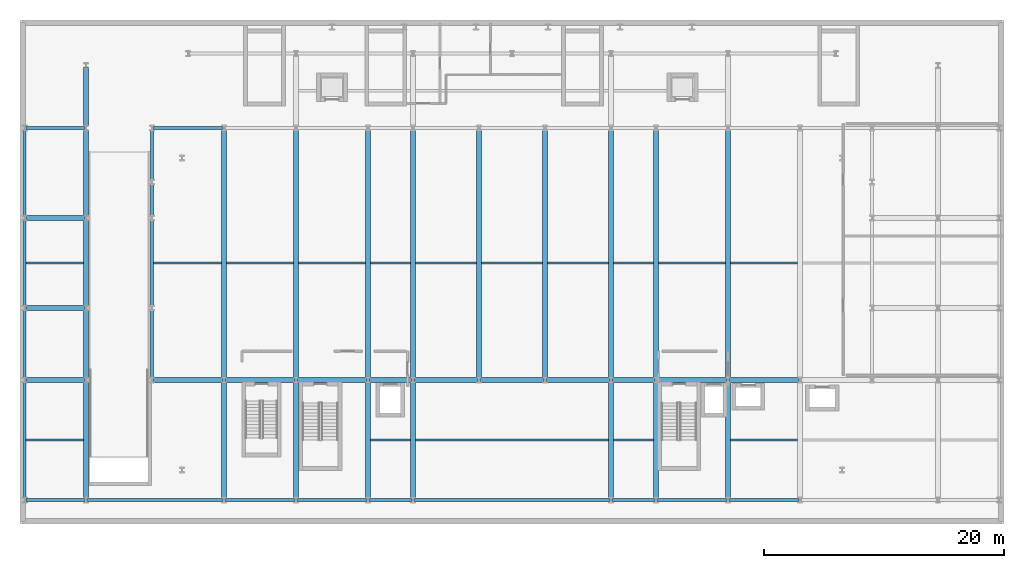
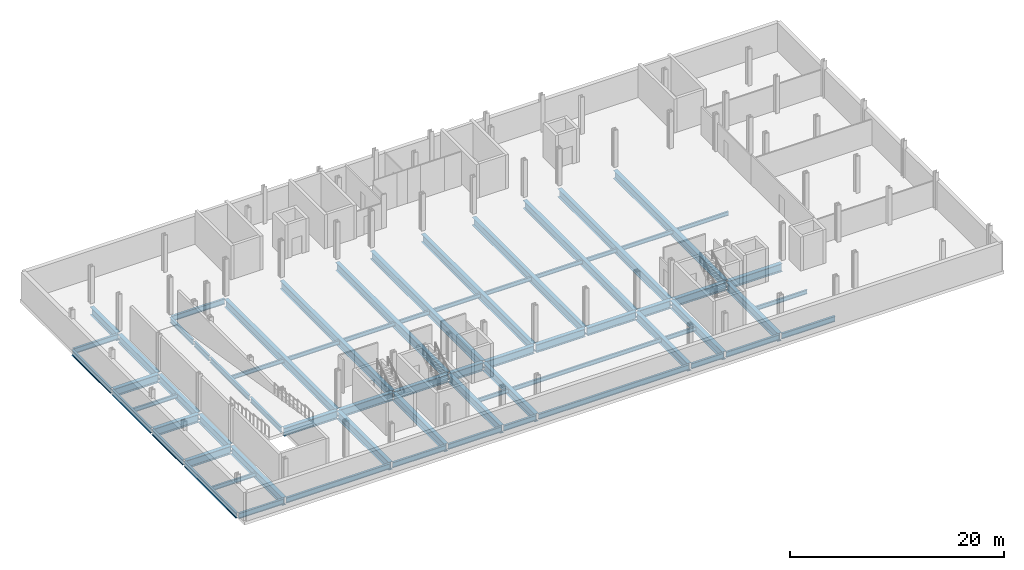
# One storey, part 3 of 12: 69 beams.
"""IFC4 building model written with IfcOpenShell, lengths in metres."""

from ifc_helpers import new_model, si_unit, direction, frame, origin, origin_2d, place, context, subcontext, project, spatial, i_section, extrude, material, material_profile, profile_set, type_object, element, save


model = new_model("IFC4")

# Units and contexts
model_context = context("Model", 3, precision=1e-05, world=origin(), true_north=direction((0.0, 1.0)))
body_context = subcontext(model_context, "Body", "Model", "MODEL_VIEW")
ifc_project = project(units=[si_unit("LENGTHUNIT", "METRE"), si_unit("AREAUNIT", "SQUARE_METRE"), si_unit("VOLUMEUNIT", "CUBIC_METRE"), si_unit("PLANEANGLEUNIT", "RADIAN"), si_unit("MASSUNIT", "GRAM", prefix="KILO")], contexts=[model_context])

# Site, building, storey
site_placement = place(None, origin())
site = spatial("IfcSite", under=ifc_project, at=site_placement, CompositionType="ELEMENT")
building_placement = place(site_placement, origin())
building = spatial("IfcBuilding", under=site, at=building_placement, Name="Brevholm Reach", CompositionType="ELEMENT")
storey_placement = place(building_placement, frame((0.0, 0.0, -4.199951171875)))
storey = spatial("IfcBuildingStorey", under=building, at=storey_placement, Name="B01", CompositionType="ELEMENT", Elevation=-4.199951171875)

# Beams
ifc_material_1 = material(Name="Structural Steel S355J2", Category="steel")
ifc_material_profile_1 = material_profile(ifc_material_1, i_section(OverallWidth=0.19140625, OverallDepth=0.4599609375, WebThickness=0.010009765625, FlangeThickness=0.01611328125, FilletRadius=0.01025390625, at=origin_2d()), Name="UKB 457x191x82")
ifc_profile_set_1 = profile_set([ifc_material_profile_1], Name="Structural Steel S355J2")
beam_type_1 = type_object("IfcBeamType", Name="BM-B460", PredefinedType="BEAM", material=ifc_profile_set_1)
beam_1_placement = place(storey_placement, frame((-10.485595703125, 5.0, -0.590087890625), z_axis=(1.0, 0.0, 0.0), x_axis=(0.0, 1.0, 0.0)))
element("IfcBeam", 1, at=beam_1_placement, inside=storey, type_object=beam_type_1, Name="B01 Composite Secondary Floor Beam", PredefinedType="BEAM", context=body_context, shape_type="SweptSolid", body=[
    extrude(i_section(OverallWidth=0.19140625, OverallDepth=0.4599609375, WebThickness=0.010009765625, FlangeThickness=0.01611328125, FilletRadius=0.01025390625, at=origin_2d()), origin(), (0.0, 0.0, 1.0), 4.775390625),
])
beam_2_placement = place(storey_placement, frame((18.210205078125, 5.0, -0.590087890625), z_axis=(1.0, 0.0, 0.0), x_axis=(0.0, 1.0, 0.0)))
element("IfcBeam", 2, at=beam_2_placement, inside=storey, type_object=beam_type_1, Name="B01 Composite Secondary Floor Beam", PredefinedType="BEAM", context=body_context, shape_type="SweptSolid", body=[
    extrude(i_section(OverallWidth=0.19140625, OverallDepth=0.4599609375, WebThickness=0.010009765625, FlangeThickness=0.01611328125, FilletRadius=0.01025390625, at=origin_2d()), origin(), (0.0, 0.0, 1.0), 3.32958984375),
])
beam_3_placement = place(storey_placement, frame((21.960205078125, 5.0, -0.590087890625), z_axis=(1.0, 0.0, 0.0), x_axis=(0.0, 1.0, 0.0)))
element("IfcBeam", 3, at=beam_3_placement, inside=storey, type_object=beam_type_1, Name="B01 Composite Secondary Floor Beam", PredefinedType="BEAM", context=body_context, shape_type="SweptSolid", body=[
    extrude(i_section(OverallWidth=0.19140625, OverallDepth=0.4599609375, WebThickness=0.010009765625, FlangeThickness=0.01611328125, FilletRadius=0.01025390625, at=origin_2d()), origin(), (0.0, 0.0, 1.0), 16.07958984375),
])
beam_4_placement = place(storey_placement, frame((38.460205078125, 5.0, -0.590087890625), z_axis=(1.0, 0.0, 0.0), x_axis=(0.0, 1.0, 0.0)))
element("IfcBeam", 4, at=beam_4_placement, inside=storey, type_object=beam_type_1, Name="B01 Composite Secondary Floor Beam", PredefinedType="BEAM", context=body_context, shape_type="SweptSolid", body=[
    extrude(i_section(OverallWidth=0.19140625, OverallDepth=0.4599609375, WebThickness=0.010009765625, FlangeThickness=0.01611328125, FilletRadius=0.01025390625, at=origin_2d()), origin(), (0.0, 0.0, 1.0), 3.32958984375),
])
beam_5_placement = place(storey_placement, frame((48.210205078125, 5.0, -0.590087890625), z_axis=(1.0, 0.0, 0.0), x_axis=(0.0, 1.0, 0.0)))
element("IfcBeam", 5, at=beam_5_placement, inside=storey, type_object=beam_type_1, Name="B01 Composite Secondary Floor Beam", PredefinedType="BEAM", context=body_context, shape_type="SweptSolid", body=[
    extrude(i_section(OverallWidth=0.19140625, OverallDepth=0.4599609375, WebThickness=0.010009765625, FlangeThickness=0.01611328125, FilletRadius=0.01025390625, at=origin_2d()), origin(), (0.0, 0.0, 1.0), 5.57958984375),
])
beam_6_placement = place(storey_placement, frame((-10.485595703125, 19.75, -0.590087890625), z_axis=(1.0, 0.0, 0.0), x_axis=(0.0, 1.0, 0.0)))
element("IfcBeam", 6, at=beam_6_placement, inside=storey, type_object=beam_type_1, Name="B01 Composite Secondary Floor Beam", PredefinedType="BEAM", context=body_context, shape_type="SweptSolid", body=[
    extrude(i_section(OverallWidth=0.19140625, OverallDepth=0.4599609375, WebThickness=0.010009765625, FlangeThickness=0.01611328125, FilletRadius=0.01025390625, at=origin_2d()), origin(), (0.0, 0.0, 1.0), 4.775390625),
])
beam_7_placement = place(storey_placement, frame((0.114501953125, 19.75, -0.590087890625), z_axis=(1.0, 0.0, 0.0), x_axis=(0.0, 1.0, 0.0)))
element("IfcBeam", 7, at=beam_7_placement, inside=storey, type_object=beam_type_1, Name="B01 Composite Secondary Floor Beam", PredefinedType="BEAM", context=body_context, shape_type="SweptSolid", body=[
    extrude(i_section(OverallWidth=0.19140625, OverallDepth=0.4599609375, WebThickness=0.010009765625, FlangeThickness=0.01611328125, FilletRadius=0.01025390625, at=origin_2d()), origin(), (0.0, 0.0, 1.0), 5.67529296875),
])
for number, where, z_axis, x_axis, name in (
    (8, (6.210205078125, 19.75, -0.590087890625), (1.0, 0.0, 0.0), (0.0, 1.0, 0.0), "B01 Composite Secondary Floor Beam"),
    (9, (12.210205078125, 19.75, -0.590087890625), (1.0, 0.0, 0.0), (0.0, 1.0, 0.0), "B01 Composite Secondary Floor Beam"),
):
    element("IfcBeam", number, at=place(storey_placement, frame(where, z_axis=z_axis, x_axis=x_axis)), inside=storey, type_object=beam_type_1, Name=name, PredefinedType="BEAM", context=body_context, shape_type="SweptSolid", body=[
        extrude(i_section(OverallWidth=0.19140625, OverallDepth=0.4599609375, WebThickness=0.010009765625, FlangeThickness=0.01611328125, FilletRadius=0.01025390625, at=origin_2d()), origin(), (0.0, 0.0, 1.0), 5.57958984375),
    ])
beam_8_placement = place(storey_placement, frame((18.210205078125, 19.75, -0.590087890625), z_axis=(1.0, 0.0, 0.0), x_axis=(0.0, 1.0, 0.0)))
element("IfcBeam", 10, at=beam_8_placement, inside=storey, type_object=beam_type_1, Name="B01 Composite Secondary Floor Beam", PredefinedType="BEAM", context=body_context, shape_type="SweptSolid", body=[
    extrude(i_section(OverallWidth=0.19140625, OverallDepth=0.4599609375, WebThickness=0.010009765625, FlangeThickness=0.01611328125, FilletRadius=0.01025390625, at=origin_2d()), origin(), (0.0, 0.0, 1.0), 3.32958984375),
])
for number, where, z_axis, x_axis, name in (
    (11, (21.960205078125, 19.75, -0.590087890625), (1.0, 0.0, 0.0), (0.0, 1.0, 0.0), "B01 Composite Secondary Floor Beam"),
    (12, (27.460205078125, 19.75, -0.590087890625), (1.0, 0.0, 0.0), (0.0, 1.0, 0.0), "B01 Composite Secondary Floor Beam"),
    (13, (32.960205078125, 19.75, -0.590087890625), (1.0, 0.0, 0.0), (0.0, 1.0, 0.0), "B01 Composite Secondary Floor Beam"),
):
    element("IfcBeam", number, at=place(storey_placement, frame(where, z_axis=z_axis, x_axis=x_axis)), inside=storey, type_object=beam_type_1, Name=name, PredefinedType="BEAM", context=body_context, shape_type="SweptSolid", body=[
        extrude(i_section(OverallWidth=0.19140625, OverallDepth=0.4599609375, WebThickness=0.010009765625, FlangeThickness=0.01611328125, FilletRadius=0.01025390625, at=origin_2d()), origin(), (0.0, 0.0, 1.0), 5.07958984375),
    ])
beam_9_placement = place(storey_placement, frame((38.460205078125, 19.75, -0.590087890625), z_axis=(1.0, 0.0, 0.0), x_axis=(0.0, 1.0, 0.0)))
element("IfcBeam", 14, at=beam_9_placement, inside=storey, type_object=beam_type_1, Name="B01 Composite Secondary Floor Beam", PredefinedType="BEAM", context=body_context, shape_type="SweptSolid", body=[
    extrude(i_section(OverallWidth=0.19140625, OverallDepth=0.4599609375, WebThickness=0.010009765625, FlangeThickness=0.01611328125, FilletRadius=0.01025390625, at=origin_2d()), origin(), (0.0, 0.0, 1.0), 3.32958984375),
])
for number, where, z_axis, x_axis, name in (
    (15, (42.210205078125, 19.75, -0.590087890625), (1.0, 0.0, 0.0), (0.0, 1.0, 0.0), "B01 Composite Secondary Floor Beam"),
    (16, (48.210205078125, 19.75, -0.590087890625), (1.0, 0.0, 0.0), (0.0, 1.0, 0.0), "B01 Composite Secondary Floor Beam"),
):
    element("IfcBeam", number, at=place(storey_placement, frame(where, z_axis=z_axis, x_axis=x_axis)), inside=storey, type_object=beam_type_1, Name=name, PredefinedType="BEAM", context=body_context, shape_type="SweptSolid", body=[
        extrude(i_section(OverallWidth=0.19140625, OverallDepth=0.4599609375, WebThickness=0.010009765625, FlangeThickness=0.01611328125, FilletRadius=0.01025390625, at=origin_2d()), origin(), (0.0, 0.0, 1.0), 5.57958984375),
    ])
ifc_material_2 = material(Name="Structural Steel S355J2", Category="steel")
ifc_material_profile_2 = material_profile(ifc_material_2, i_section(OverallWidth=0.22900390625, OverallDepth=0.6123046875, WebThickness=0.011962890625, FlangeThickness=0.01953125, FilletRadius=0.0126953125, at=origin_2d()), Name="UKB 610x229x125")
ifc_profile_set_2 = profile_set([ifc_material_profile_2], Name="Structural Steel S355J2")
beam_type_2 = type_object("IfcBeamType", Name="BM-SP610", PredefinedType="SPANDREL", material=ifc_profile_set_2)
beam_10_placement = place(storey_placement, frame((-10.47998046875, 0.0, -0.666259765625), z_axis=(1.0, 0.0, 0.0), x_axis=(0.0, 1.0, 0.0)))
element("IfcBeam", 17, at=beam_10_placement, inside=storey, type_object=beam_type_2, Name="B01 SP-01 Framing Beam", PredefinedType="SPANDREL", context=body_context, shape_type="SweptSolid", body=[
    extrude(i_section(OverallWidth=0.22900390625, OverallDepth=0.6123046875, WebThickness=0.011962890625, FlangeThickness=0.01953125, FilletRadius=0.0126953125, at=origin_2d()), origin(), (0.0, 0.0, 1.0), 4.85986328125),
])
beam_11_placement = place(storey_placement, frame((-5.3798828125, 0.0, -0.666259765625), z_axis=(1.0, 0.0, 0.0), x_axis=(0.0, 1.0, 0.0)))
element("IfcBeam", 18, at=beam_11_placement, inside=storey, type_object=beam_type_2, Name="B01 SP-01 Framing Beam", PredefinedType="SPANDREL", context=body_context, shape_type="SweptSolid", body=[
    extrude(i_section(OverallWidth=0.22900390625, OverallDepth=0.6123046875, WebThickness=0.011962890625, FlangeThickness=0.01953125, FilletRadius=0.0126953125, at=origin_2d()), origin(), (0.0, 0.0, 1.0), 11.259765625),
])
for number, where, z_axis, x_axis, name in (
    (19, (6.1201171875, 0.0, -0.666259765625), (1.0, 0.0, 0.0), (0.0, 1.0, 0.0), "B01 SP-01 Framing Beam"),
    (20, (12.1201171875, 0.0, -0.666259765625), (1.0, 0.0, 0.0), (0.0, 1.0, 0.0), "B01 SP-01 Framing Beam"),
):
    element("IfcBeam", number, at=place(storey_placement, frame(where, z_axis=z_axis, x_axis=x_axis)), inside=storey, type_object=beam_type_2, Name=name, PredefinedType="SPANDREL", context=body_context, shape_type="SweptSolid", body=[
        extrude(i_section(OverallWidth=0.22900390625, OverallDepth=0.6123046875, WebThickness=0.011962890625, FlangeThickness=0.01953125, FilletRadius=0.0126953125, at=origin_2d()), origin(), (0.0, 0.0, 1.0), 5.759765625),
    ])
beam_12_placement = place(storey_placement, frame((18.1201171875, 0.0, -0.666259765625), z_axis=(1.0, 0.0, 0.0), x_axis=(0.0, 1.0, 0.0)))
element("IfcBeam", 21, at=beam_12_placement, inside=storey, type_object=beam_type_2, Name="B01 SP-01 Framing Beam", PredefinedType="SPANDREL", context=body_context, shape_type="SweptSolid", body=[
    extrude(i_section(OverallWidth=0.22900390625, OverallDepth=0.6123046875, WebThickness=0.011962890625, FlangeThickness=0.01953125, FilletRadius=0.0126953125, at=origin_2d()), origin(), (0.0, 0.0, 1.0), 3.509765625),
])
beam_13_placement = place(storey_placement, frame((21.8701171875, 0.0, -0.666259765625), z_axis=(1.0, 0.0, 0.0), x_axis=(0.0, 1.0, 0.0)))
element("IfcBeam", 22, at=beam_13_placement, inside=storey, type_object=beam_type_2, Name="B01 SP-01 Framing Beam", PredefinedType="SPANDREL", context=body_context, shape_type="SweptSolid", body=[
    extrude(i_section(OverallWidth=0.22900390625, OverallDepth=0.6123046875, WebThickness=0.011962890625, FlangeThickness=0.01953125, FilletRadius=0.0126953125, at=origin_2d()), origin(), (0.0, 0.0, 1.0), 16.259765625),
])
beam_14_placement = place(storey_placement, frame((38.3701171875, 0.0, -0.666259765625), z_axis=(1.0, 0.0, 0.0), x_axis=(0.0, 1.0, 0.0)))
element("IfcBeam", 23, at=beam_14_placement, inside=storey, type_object=beam_type_2, Name="B01 SP-01 Framing Beam", PredefinedType="SPANDREL", context=body_context, shape_type="SweptSolid", body=[
    extrude(i_section(OverallWidth=0.22900390625, OverallDepth=0.6123046875, WebThickness=0.011962890625, FlangeThickness=0.01953125, FilletRadius=0.0126953125, at=origin_2d()), origin(), (0.0, 0.0, 1.0), 3.509765625),
])
for number, where, z_axis, x_axis, name in (
    (24, (42.1201171875, 0.0, -0.666259765625), (1.0, 0.0, 0.0), (0.0, 1.0, 0.0), "B01 SP-01 Framing Beam"),
    (25, (48.1201171875, 0.0, -0.666259765625), (1.0, 0.0, 0.0), (0.0, 1.0, 0.0), "B01 SP-01 Framing Beam"),
):
    element("IfcBeam", number, at=place(storey_placement, frame(where, z_axis=z_axis, x_axis=x_axis)), inside=storey, type_object=beam_type_2, Name=name, PredefinedType="SPANDREL", context=body_context, shape_type="SweptSolid", body=[
        extrude(i_section(OverallWidth=0.22900390625, OverallDepth=0.6123046875, WebThickness=0.011962890625, FlangeThickness=0.01953125, FilletRadius=0.0126953125, at=origin_2d()), origin(), (0.0, 0.0, 1.0), 5.759765625),
    ])
beam_15_placement = place(storey_placement, frame((-10.47998046875, 31.0, -0.666259765625), z_axis=(1.0, 0.0, 0.0), x_axis=(0.0, 1.0, 0.0)))
element("IfcBeam", 26, at=beam_15_placement, inside=storey, type_object=beam_type_2, Name="B01 SP-01 Framing Beam", PredefinedType="SPANDREL", context=body_context, shape_type="SweptSolid", body=[
    extrude(i_section(OverallWidth=0.22900390625, OverallDepth=0.6123046875, WebThickness=0.011962890625, FlangeThickness=0.01953125, FilletRadius=0.0126953125, at=origin_2d()), origin(), (0.0, 0.0, 1.0), 4.85986328125),
])
beam_16_placement = place(storey_placement, frame((0.1201171875, 31.0, -0.666259765625), z_axis=(1.0, 0.0, 0.0), x_axis=(0.0, 1.0, 0.0)))
element("IfcBeam", 27, at=beam_16_placement, inside=storey, type_object=beam_type_2, Name="B01 SP-01 Framing Beam", PredefinedType="SPANDREL", context=body_context, shape_type="SweptSolid", body=[
    extrude(i_section(OverallWidth=0.22900390625, OverallDepth=0.6123046875, WebThickness=0.011962890625, FlangeThickness=0.01953125, FilletRadius=0.0126953125, at=origin_2d()), origin(), (0.0, 0.0, 1.0), 5.759765625),
])
beam_17_placement = place(storey_placement, frame((-10.60009765625, 0.1201171875, -0.666259765625), z_axis=(0.0, 1.0, 0.0), x_axis=(-1.0, 0.0, 0.0)))
element("IfcBeam", 28, at=beam_17_placement, inside=storey, type_object=beam_type_2, Name="B01 SP-01 Framing Beam", PredefinedType="SPANDREL", context=body_context, shape_type="SweptSolid", body=[
    extrude(i_section(OverallWidth=0.22900390625, OverallDepth=0.6123046875, WebThickness=0.011962890625, FlangeThickness=0.01953125, FilletRadius=0.0126953125, at=origin_2d()), origin(), (0.0, 0.0, 1.0), 9.759765625),
])
beam_18_placement = place(storey_placement, frame((-10.60009765625, 10.1201171875, -0.666259765625), z_axis=(0.0, 1.0, 0.0), x_axis=(-1.0, 0.0, 0.0)))
element("IfcBeam", 29, at=beam_18_placement, inside=storey, type_object=beam_type_2, Name="B01 SP-01 Framing Beam", PredefinedType="SPANDREL", context=body_context, shape_type="SweptSolid", body=[
    extrude(i_section(OverallWidth=0.22900390625, OverallDepth=0.6123046875, WebThickness=0.011962890625, FlangeThickness=0.01953125, FilletRadius=0.0126953125, at=origin_2d()), origin(), (0.0, 0.0, 1.0), 5.759765625),
])
for number, where, z_axis, x_axis, name in (
    (30, (-10.60009765625, 16.1201171875, -0.666259765625), (0.0, 1.0, 0.0), (-1.0, 0.0, 0.0), "B01 SP-01 Framing Beam"),
    (31, (-10.60009765625, 23.6201171875, -0.666259765625), (0.0, 1.0, 0.0), (-1.0, 0.0, 0.0), "B01 SP-01 Framing Beam"),
):
    element("IfcBeam", number, at=place(storey_placement, frame(where, z_axis=z_axis, x_axis=x_axis)), inside=storey, type_object=beam_type_2, Name=name, PredefinedType="SPANDREL", context=body_context, shape_type="SweptSolid", body=[
        extrude(i_section(OverallWidth=0.22900390625, OverallDepth=0.6123046875, WebThickness=0.011962890625, FlangeThickness=0.01953125, FilletRadius=0.0126953125, at=origin_2d()), origin(), (0.0, 0.0, 1.0), 7.259765625),
    ])
beam_19_placement = place(storey_placement, frame((0.0, 10.1201171875, -0.666259765625), z_axis=(0.0, 1.0, 0.0), x_axis=(-1.0, 0.0, 0.0)))
element("IfcBeam", 32, at=beam_19_placement, inside=storey, type_object=beam_type_2, Name="B01 SP-01 Framing Beam", PredefinedType="SPANDREL", context=body_context, shape_type="SweptSolid", body=[
    extrude(i_section(OverallWidth=0.22900390625, OverallDepth=0.6123046875, WebThickness=0.011962890625, FlangeThickness=0.01953125, FilletRadius=0.0126953125, at=origin_2d()), origin(), (0.0, 0.0, 1.0), 5.759765625),
])
beam_20_placement = place(storey_placement, frame((0.0, 16.1201171875, -0.666259765625), z_axis=(0.0, 1.0, 0.0), x_axis=(-1.0, 0.0, 0.0)))
element("IfcBeam", 33, at=beam_20_placement, inside=storey, type_object=beam_type_2, Name="B01 SP-01 Framing Beam", PredefinedType="SPANDREL", context=body_context, shape_type="SweptSolid", body=[
    extrude(i_section(OverallWidth=0.22900390625, OverallDepth=0.6123046875, WebThickness=0.011962890625, FlangeThickness=0.01953125, FilletRadius=0.0126953125, at=origin_2d()), origin(), (0.0, 0.0, 1.0), 7.259765625),
])
beam_21_placement = place(storey_placement, frame((0.0, 23.6201171875, -0.666259765625), z_axis=(0.0, 1.0, 0.0), x_axis=(-1.0, 0.0, 0.0)))
element("IfcBeam", 34, at=beam_21_placement, inside=storey, type_object=beam_type_2, Name="B01 SP-01 Framing Beam", PredefinedType="SPANDREL", context=body_context, shape_type="SweptSolid", body=[
    extrude(i_section(OverallWidth=0.22900390625, OverallDepth=0.6123046875, WebThickness=0.011962890625, FlangeThickness=0.01953125, FilletRadius=0.0126953125, at=origin_2d()), origin(), (0.0, 0.0, 1.0), 2.759765625),
])
beam_22_placement = place(storey_placement, frame((0.0, 26.6201171875, -0.666259765625), z_axis=(0.0, 1.0, 0.0), x_axis=(-1.0, 0.0, 0.0)))
element("IfcBeam", 35, at=beam_22_placement, inside=storey, type_object=beam_type_2, Name="B01 SP-01 Framing Beam", PredefinedType="SPANDREL", context=body_context, shape_type="SweptSolid", body=[
    extrude(i_section(OverallWidth=0.22900390625, OverallDepth=0.6123046875, WebThickness=0.011962890625, FlangeThickness=0.01953125, FilletRadius=0.0126953125, at=origin_2d()), origin(), (0.0, 0.0, 1.0), 4.259765625),
])
ifc_material_3 = material(Name="Structural Steel S460ML", Category="steel")
ifc_material_profile_3 = material_profile(ifc_material_3, i_section(OverallWidth=0.42041015625, OverallDepth=0.9208984375, WebThickness=0.021484375, FlangeThickness=0.03662109375, FilletRadius=0.024169921875, at=origin_2d()), Name="UKB 914x419x388")
ifc_profile_set_3 = profile_set([ifc_material_profile_3], Name="Structural Steel S460ML")
beam_type_3 = type_object("IfcBeamType", Name="BM-UKB914", PredefinedType="USERDEFINED", material=ifc_profile_set_3)
beam_23_placement = place(storey_placement, frame((-10.47998046875, 10.0, -0.820556640625), z_axis=(1.0, 0.0, 0.0), x_axis=(0.0, 1.0, 0.0)))
element("IfcBeam", 36, at=beam_23_placement, inside=storey, type_object=beam_type_3, Name="B01 G-02 Framing Beam", ObjectType="GIRDER", PredefinedType="USERDEFINED", context=body_context, shape_type="SweptSolid", body=[
    extrude(i_section(OverallWidth=0.42041015625, OverallDepth=0.9208984375, WebThickness=0.021484375, FlangeThickness=0.03662109375, FilletRadius=0.024169921875, at=origin_2d()), origin(), (0.0, 0.0, 1.0), 4.85986328125),
])
for number, where, z_axis, x_axis, name in (
    (37, (0.1201171875, 10.0, -0.820556640625), (1.0, 0.0, 0.0), (0.0, 1.0, 0.0), "B01 G-02 Framing Beam"),
    (38, (6.1201171875, 10.0, -0.820556640625), (1.0, 0.0, 0.0), (0.0, 1.0, 0.0), "B01 G-02 Framing Beam"),
    (39, (12.1201171875, 10.0, -0.820556640625), (1.0, 0.0, 0.0), (0.0, 1.0, 0.0), "B01 G-02 Framing Beam"),
):
    element("IfcBeam", number, at=place(storey_placement, frame(where, z_axis=z_axis, x_axis=x_axis)), inside=storey, type_object=beam_type_3, Name=name, ObjectType="GIRDER", PredefinedType="USERDEFINED", context=body_context, shape_type="SweptSolid", body=[
        extrude(i_section(OverallWidth=0.42041015625, OverallDepth=0.9208984375, WebThickness=0.021484375, FlangeThickness=0.03662109375, FilletRadius=0.024169921875, at=origin_2d()), origin(), (0.0, 0.0, 1.0), 5.759765625),
    ])
beam_24_placement = place(storey_placement, frame((18.1201171875, 10.0, -0.820556640625), z_axis=(1.0, 0.0, 0.0), x_axis=(0.0, 1.0, 0.0)))
element("IfcBeam", 40, at=beam_24_placement, inside=storey, type_object=beam_type_3, Name="B01 G-02 Framing Beam", ObjectType="GIRDER", PredefinedType="USERDEFINED", context=body_context, shape_type="SweptSolid", body=[
    extrude(i_section(OverallWidth=0.42041015625, OverallDepth=0.9208984375, WebThickness=0.021484375, FlangeThickness=0.03662109375, FilletRadius=0.024169921875, at=origin_2d()), origin(), (0.0, 0.0, 1.0), 3.509765625),
])
for number, where, z_axis, x_axis, name in (
    (41, (21.8701171875, 10.0, -0.820556640625), (1.0, 0.0, 0.0), (0.0, 1.0, 0.0), "B01 G-02 Framing Beam"),
    (42, (27.3701171875, 10.0, -0.820556640625), (1.0, 0.0, 0.0), (0.0, 1.0, 0.0), "B01 G-02 Framing Beam"),
    (43, (32.8701171875, 10.0, -0.820556640625), (1.0, 0.0, 0.0), (0.0, 1.0, 0.0), "B01 G-02 Framing Beam"),
):
    element("IfcBeam", number, at=place(storey_placement, frame(where, z_axis=z_axis, x_axis=x_axis)), inside=storey, type_object=beam_type_3, Name=name, ObjectType="GIRDER", PredefinedType="USERDEFINED", context=body_context, shape_type="SweptSolid", body=[
        extrude(i_section(OverallWidth=0.42041015625, OverallDepth=0.9208984375, WebThickness=0.021484375, FlangeThickness=0.03662109375, FilletRadius=0.024169921875, at=origin_2d()), origin(), (0.0, 0.0, 1.0), 5.259765625),
    ])
beam_25_placement = place(storey_placement, frame((38.3701171875, 10.0, -0.820556640625), z_axis=(1.0, 0.0, 0.0), x_axis=(0.0, 1.0, 0.0)))
element("IfcBeam", 44, at=beam_25_placement, inside=storey, type_object=beam_type_3, Name="B01 G-02 Framing Beam", ObjectType="GIRDER", PredefinedType="USERDEFINED", context=body_context, shape_type="SweptSolid", body=[
    extrude(i_section(OverallWidth=0.42041015625, OverallDepth=0.9208984375, WebThickness=0.021484375, FlangeThickness=0.03662109375, FilletRadius=0.024169921875, at=origin_2d()), origin(), (0.0, 0.0, 1.0), 3.509765625),
])
for number, where, z_axis, x_axis, name in (
    (45, (42.1201171875, 10.0, -0.820556640625), (1.0, 0.0, 0.0), (0.0, 1.0, 0.0), "B01 G-02 Framing Beam"),
    (46, (48.1201171875, 10.0, -0.820556640625), (1.0, 0.0, 0.0), (0.0, 1.0, 0.0), "B01 G-02 Framing Beam"),
):
    element("IfcBeam", number, at=place(storey_placement, frame(where, z_axis=z_axis, x_axis=x_axis)), inside=storey, type_object=beam_type_3, Name=name, ObjectType="GIRDER", PredefinedType="USERDEFINED", context=body_context, shape_type="SweptSolid", body=[
        extrude(i_section(OverallWidth=0.42041015625, OverallDepth=0.9208984375, WebThickness=0.021484375, FlangeThickness=0.03662109375, FilletRadius=0.024169921875, at=origin_2d()), origin(), (0.0, 0.0, 1.0), 5.759765625),
    ])
for number, where, z_axis, x_axis, name in (
    (47, (-10.47998046875, 16.0, -0.820556640625), (1.0, 0.0, 0.0), (0.0, 1.0, 0.0), "B01 G-02 Framing Beam"),
    (48, (-10.47998046875, 23.5, -0.820556640625), (1.0, 0.0, 0.0), (0.0, 1.0, 0.0), "B01 G-02 Framing Beam"),
):
    element("IfcBeam", number, at=place(storey_placement, frame(where, z_axis=z_axis, x_axis=x_axis)), inside=storey, type_object=beam_type_3, Name=name, ObjectType="GIRDER", PredefinedType="USERDEFINED", context=body_context, shape_type="SweptSolid", body=[
        extrude(i_section(OverallWidth=0.42041015625, OverallDepth=0.9208984375, WebThickness=0.021484375, FlangeThickness=0.03662109375, FilletRadius=0.024169921875, at=origin_2d()), origin(), (0.0, 0.0, 1.0), 4.85986328125),
    ])
beam_26_placement = place(storey_placement, frame((-5.5, 0.1201171875, -0.820556640625), z_axis=(0.0, 1.0, 0.0), x_axis=(-1.0, 0.0, 0.0)))
element("IfcBeam", 49, at=beam_26_placement, inside=storey, type_object=beam_type_3, Name="B01 G-02 Framing Beam", ObjectType="GIRDER", PredefinedType="USERDEFINED", context=body_context, shape_type="SweptSolid", body=[
    extrude(i_section(OverallWidth=0.42041015625, OverallDepth=0.9208984375, WebThickness=0.021484375, FlangeThickness=0.03662109375, FilletRadius=0.024169921875, at=origin_2d()), origin(), (0.0, 0.0, 1.0), 9.759765625),
])
beam_27_placement = place(storey_placement, frame((-5.5, 10.1201171875, -0.820556640625), z_axis=(0.0, 1.0, 0.0), x_axis=(-1.0, 0.0, 0.0)))
element("IfcBeam", 50, at=beam_27_placement, inside=storey, type_object=beam_type_3, Name="B01 G-02 Framing Beam", ObjectType="GIRDER", PredefinedType="USERDEFINED", context=body_context, shape_type="SweptSolid", body=[
    extrude(i_section(OverallWidth=0.42041015625, OverallDepth=0.9208984375, WebThickness=0.021484375, FlangeThickness=0.03662109375, FilletRadius=0.024169921875, at=origin_2d()), origin(), (0.0, 0.0, 1.0), 5.759765625),
])
for number, where, z_axis, x_axis, name in (
    (51, (-5.5, 16.1201171875, -0.820556640625), (0.0, 1.0, 0.0), (-1.0, 0.0, 0.0), "B01 G-02 Framing Beam"),
    (52, (-5.5, 23.6201171875, -0.820556640625), (0.0, 1.0, 0.0), (-1.0, 0.0, 0.0), "B01 G-02 Framing Beam"),
):
    element("IfcBeam", number, at=place(storey_placement, frame(where, z_axis=z_axis, x_axis=x_axis)), inside=storey, type_object=beam_type_3, Name=name, ObjectType="GIRDER", PredefinedType="USERDEFINED", context=body_context, shape_type="SweptSolid", body=[
        extrude(i_section(OverallWidth=0.42041015625, OverallDepth=0.9208984375, WebThickness=0.021484375, FlangeThickness=0.03662109375, FilletRadius=0.024169921875, at=origin_2d()), origin(), (0.0, 0.0, 1.0), 7.259765625),
    ])
beam_28_placement = place(storey_placement, frame((-5.5, 31.1201171875, -0.820556640625), z_axis=(0.0, 1.0, 0.0), x_axis=(-1.0, 0.0, 0.0)))
element("IfcBeam", 53, at=beam_28_placement, inside=storey, type_object=beam_type_3, Name="B01 G-02 Framing Beam", ObjectType="GIRDER", PredefinedType="USERDEFINED", context=body_context, shape_type="SweptSolid", body=[
    extrude(i_section(OverallWidth=0.42041015625, OverallDepth=0.9208984375, WebThickness=0.021484375, FlangeThickness=0.03662109375, FilletRadius=0.024169921875, at=origin_2d()), origin(), (0.0, 0.0, 1.0), 4.9599609375),
])
beam_29_placement = place(storey_placement, frame((6.0, 0.1201171875, -0.820556640625), z_axis=(0.0, 1.0, 0.0), x_axis=(-1.0, 0.0, 0.0)))
element("IfcBeam", 54, at=beam_29_placement, inside=storey, type_object=beam_type_3, Name="B01 G-02 Framing Beam", ObjectType="GIRDER", PredefinedType="USERDEFINED", context=body_context, shape_type="SweptSolid", body=[
    extrude(i_section(OverallWidth=0.42041015625, OverallDepth=0.9208984375, WebThickness=0.021484375, FlangeThickness=0.03662109375, FilletRadius=0.024169921875, at=origin_2d()), origin(), (0.0, 0.0, 1.0), 9.759765625),
])
beam_30_placement = place(storey_placement, frame((6.0, 10.1201171875, -0.820556640625), z_axis=(0.0, 1.0, 0.0), x_axis=(-1.0, 0.0, 0.0)))
element("IfcBeam", 55, at=beam_30_placement, inside=storey, type_object=beam_type_3, Name="B01 G-02 Framing Beam", ObjectType="GIRDER", PredefinedType="USERDEFINED", context=body_context, shape_type="SweptSolid", body=[
    extrude(i_section(OverallWidth=0.42041015625, OverallDepth=0.9208984375, WebThickness=0.021484375, FlangeThickness=0.03662109375, FilletRadius=0.024169921875, at=origin_2d()), origin(), (0.0, 0.0, 1.0), 20.759765625),
])
beam_31_placement = place(storey_placement, frame((12.0, 0.1201171875, -0.820556640625), z_axis=(0.0, 1.0, 0.0), x_axis=(-1.0, 0.0, 0.0)))
element("IfcBeam", 56, at=beam_31_placement, inside=storey, type_object=beam_type_3, Name="B01 G-02 Framing Beam", ObjectType="GIRDER", PredefinedType="USERDEFINED", context=body_context, shape_type="SweptSolid", body=[
    extrude(i_section(OverallWidth=0.42041015625, OverallDepth=0.9208984375, WebThickness=0.021484375, FlangeThickness=0.03662109375, FilletRadius=0.024169921875, at=origin_2d()), origin(), (0.0, 0.0, 1.0), 9.759765625),
])
beam_32_placement = place(storey_placement, frame((12.0, 10.1201171875, -0.820556640625), z_axis=(0.0, 1.0, 0.0), x_axis=(-1.0, 0.0, 0.0)))
element("IfcBeam", 57, at=beam_32_placement, inside=storey, type_object=beam_type_3, Name="B01 G-02 Framing Beam", ObjectType="GIRDER", PredefinedType="USERDEFINED", context=body_context, shape_type="SweptSolid", body=[
    extrude(i_section(OverallWidth=0.42041015625, OverallDepth=0.9208984375, WebThickness=0.021484375, FlangeThickness=0.03662109375, FilletRadius=0.024169921875, at=origin_2d()), origin(), (0.0, 0.0, 1.0), 20.759765625),
])
beam_33_placement = place(storey_placement, frame((18.0, 0.1201171875, -0.820556640625), z_axis=(0.0, 1.0, 0.0), x_axis=(-1.0, 0.0, 0.0)))
element("IfcBeam", 58, at=beam_33_placement, inside=storey, type_object=beam_type_3, Name="B01 G-02 Framing Beam", ObjectType="GIRDER", PredefinedType="USERDEFINED", context=body_context, shape_type="SweptSolid", body=[
    extrude(i_section(OverallWidth=0.42041015625, OverallDepth=0.9208984375, WebThickness=0.021484375, FlangeThickness=0.03662109375, FilletRadius=0.024169921875, at=origin_2d()), origin(), (0.0, 0.0, 1.0), 9.759765625),
])
beam_34_placement = place(storey_placement, frame((18.0, 10.1201171875, -0.820556640625), z_axis=(0.0, 1.0, 0.0), x_axis=(-1.0, 0.0, 0.0)))
element("IfcBeam", 59, at=beam_34_placement, inside=storey, type_object=beam_type_3, Name="B01 G-02 Framing Beam", ObjectType="GIRDER", PredefinedType="USERDEFINED", context=body_context, shape_type="SweptSolid", body=[
    extrude(i_section(OverallWidth=0.42041015625, OverallDepth=0.9208984375, WebThickness=0.021484375, FlangeThickness=0.03662109375, FilletRadius=0.024169921875, at=origin_2d()), origin(), (0.0, 0.0, 1.0), 20.759765625),
])
beam_35_placement = place(storey_placement, frame((21.75, 0.1201171875, -0.820556640625), z_axis=(0.0, 1.0, 0.0), x_axis=(-1.0, 0.0, 0.0)))
element("IfcBeam", 60, at=beam_35_placement, inside=storey, type_object=beam_type_3, Name="B01 G-02 Framing Beam", ObjectType="GIRDER", PredefinedType="USERDEFINED", context=body_context, shape_type="SweptSolid", body=[
    extrude(i_section(OverallWidth=0.42041015625, OverallDepth=0.9208984375, WebThickness=0.021484375, FlangeThickness=0.03662109375, FilletRadius=0.024169921875, at=origin_2d()), origin(), (0.0, 0.0, 1.0), 9.759765625),
])
for number, where, z_axis, x_axis, name in (
    (61, (21.75, 10.1201171875, -0.820556640625), (0.0, 1.0, 0.0), (-1.0, 0.0, 0.0), "B01 G-02 Framing Beam"),
    (62, (27.25, 10.1201171875, -0.820556640625), (0.0, 1.0, 0.0), (-1.0, 0.0, 0.0), "B01 G-02 Framing Beam"),
    (63, (32.75, 10.1201171875, -0.820556640625), (0.0, 1.0, 0.0), (-1.0, 0.0, 0.0), "B01 G-02 Framing Beam"),
):
    element("IfcBeam", number, at=place(storey_placement, frame(where, z_axis=z_axis, x_axis=x_axis)), inside=storey, type_object=beam_type_3, Name=name, ObjectType="GIRDER", PredefinedType="USERDEFINED", context=body_context, shape_type="SweptSolid", body=[
        extrude(i_section(OverallWidth=0.42041015625, OverallDepth=0.9208984375, WebThickness=0.021484375, FlangeThickness=0.03662109375, FilletRadius=0.024169921875, at=origin_2d()), origin(), (0.0, 0.0, 1.0), 20.759765625),
    ])
beam_36_placement = place(storey_placement, frame((38.25, 0.1201171875, -0.820556640625), z_axis=(0.0, 1.0, 0.0), x_axis=(-1.0, 0.0, 0.0)))
element("IfcBeam", 64, at=beam_36_placement, inside=storey, type_object=beam_type_3, Name="B01 G-02 Framing Beam", ObjectType="GIRDER", PredefinedType="USERDEFINED", context=body_context, shape_type="SweptSolid", body=[
    extrude(i_section(OverallWidth=0.42041015625, OverallDepth=0.9208984375, WebThickness=0.021484375, FlangeThickness=0.03662109375, FilletRadius=0.024169921875, at=origin_2d()), origin(), (0.0, 0.0, 1.0), 9.759765625),
])
beam_37_placement = place(storey_placement, frame((38.25, 10.1201171875, -0.820556640625), z_axis=(0.0, 1.0, 0.0), x_axis=(-1.0, 0.0, 0.0)))
element("IfcBeam", 65, at=beam_37_placement, inside=storey, type_object=beam_type_3, Name="B01 G-02 Framing Beam", ObjectType="GIRDER", PredefinedType="USERDEFINED", context=body_context, shape_type="SweptSolid", body=[
    extrude(i_section(OverallWidth=0.42041015625, OverallDepth=0.9208984375, WebThickness=0.021484375, FlangeThickness=0.03662109375, FilletRadius=0.024169921875, at=origin_2d()), origin(), (0.0, 0.0, 1.0), 20.759765625),
])
beam_38_placement = place(storey_placement, frame((42.0, 0.1201171875, -0.820556640625), z_axis=(0.0, 1.0, 0.0), x_axis=(-1.0, 0.0, 0.0)))
element("IfcBeam", 66, at=beam_38_placement, inside=storey, type_object=beam_type_3, Name="B01 G-02 Framing Beam", ObjectType="GIRDER", PredefinedType="USERDEFINED", context=body_context, shape_type="SweptSolid", body=[
    extrude(i_section(OverallWidth=0.42041015625, OverallDepth=0.9208984375, WebThickness=0.021484375, FlangeThickness=0.03662109375, FilletRadius=0.024169921875, at=origin_2d()), origin(), (0.0, 0.0, 1.0), 9.759765625),
])
beam_39_placement = place(storey_placement, frame((42.0, 10.1201171875, -0.820556640625), z_axis=(0.0, 1.0, 0.0), x_axis=(-1.0, 0.0, 0.0)))
element("IfcBeam", 67, at=beam_39_placement, inside=storey, type_object=beam_type_3, Name="B01 G-02 Framing Beam", ObjectType="GIRDER", PredefinedType="USERDEFINED", context=body_context, shape_type="SweptSolid", body=[
    extrude(i_section(OverallWidth=0.42041015625, OverallDepth=0.9208984375, WebThickness=0.021484375, FlangeThickness=0.03662109375, FilletRadius=0.024169921875, at=origin_2d()), origin(), (0.0, 0.0, 1.0), 20.759765625),
])
beam_40_placement = place(storey_placement, frame((48.0, 0.1201171875, -0.820556640625), z_axis=(0.0, 1.0, 0.0), x_axis=(-1.0, 0.0, 0.0)))
element("IfcBeam", 68, at=beam_40_placement, inside=storey, type_object=beam_type_3, Name="B01 G-02 Framing Beam", ObjectType="GIRDER", PredefinedType="USERDEFINED", context=body_context, shape_type="SweptSolid", body=[
    extrude(i_section(OverallWidth=0.42041015625, OverallDepth=0.9208984375, WebThickness=0.021484375, FlangeThickness=0.03662109375, FilletRadius=0.024169921875, at=origin_2d()), origin(), (0.0, 0.0, 1.0), 9.759765625),
])
beam_41_placement = place(storey_placement, frame((48.0, 10.1201171875, -0.820556640625), z_axis=(0.0, 1.0, 0.0), x_axis=(-1.0, 0.0, 0.0)))
element("IfcBeam", 69, at=beam_41_placement, inside=storey, type_object=beam_type_3, Name="B01 G-02 Framing Beam", ObjectType="GIRDER", PredefinedType="USERDEFINED", context=body_context, shape_type="SweptSolid", body=[
    extrude(i_section(OverallWidth=0.42041015625, OverallDepth=0.9208984375, WebThickness=0.021484375, FlangeThickness=0.03662109375, FilletRadius=0.024169921875, at=origin_2d()), origin(), (0.0, 0.0, 1.0), 20.759765625),
])

save(model, "model.ifc")
